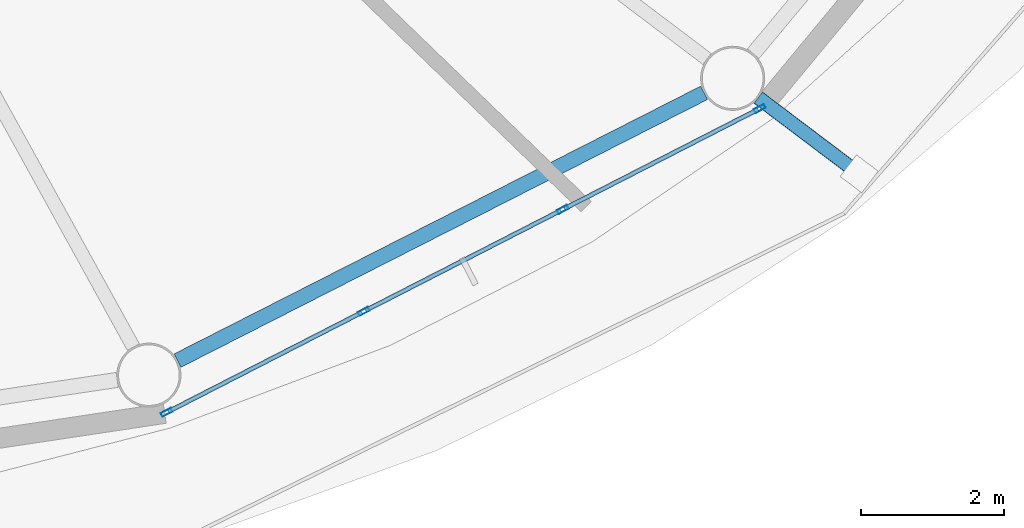
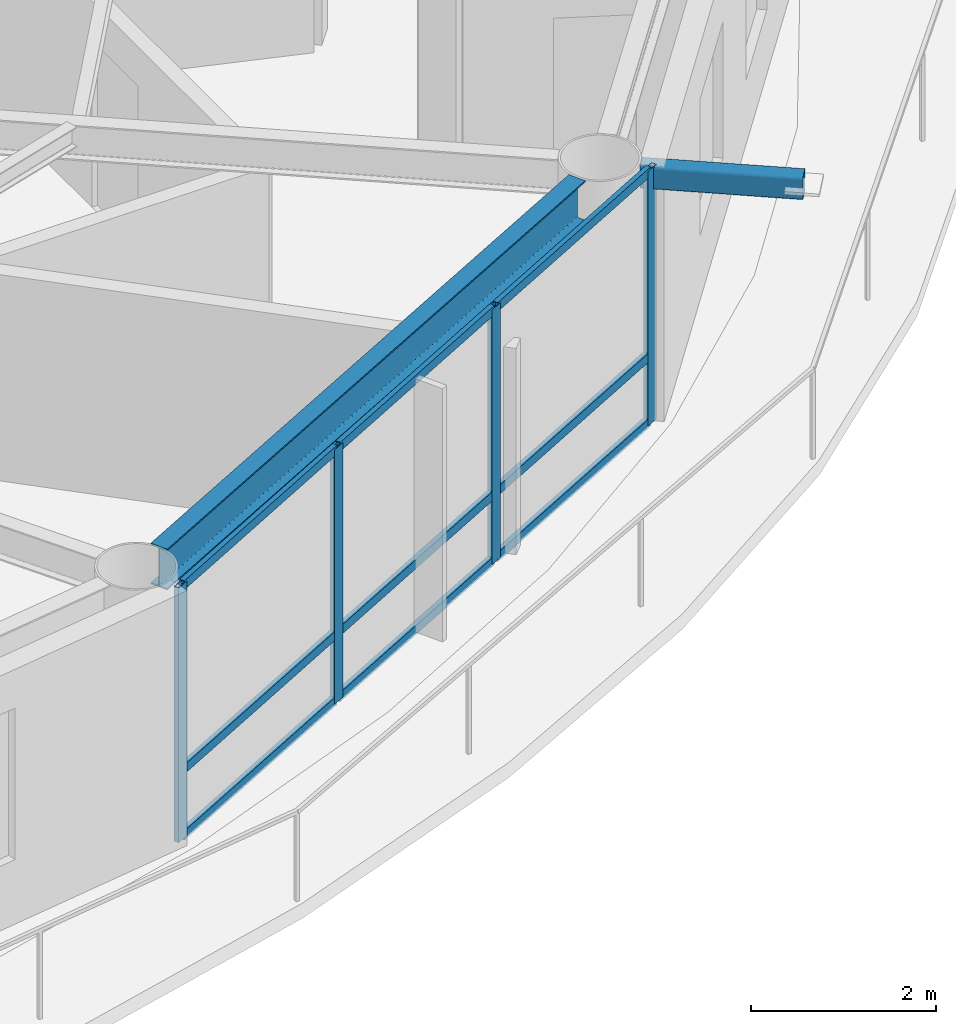
# One storey, part 5 of 22: 14 members, 1 beam, 1 element without a shape of its own.
"""IFC4 building model written with IfcOpenShell, lengths in metres."""

import ifcopenshell
import ifcopenshell.guid

model = None  # the IFC model being written
_history = None  # IfcOwnerHistory: only IFC2X3 demands one
_inside = {}  # id of a spatial element -> (the spatial element, [elements in it])
_under = {}  # id of a project, library or spatial element -> (it, [spatial elements below it])
_declared = {}  # id of a project -> (the project, [libraries it declares])
_typed = {}  # id of a type object -> (the type object, [elements of that type])
_made_of = {}  # id of a material, layer set ... -> (it, [elements and type objects made of it])


def new_model(schema):
    """Start an empty IFC model of exactly this schema.

    Asked for "IFC4X3", IfcOpenShell would pick the latest addendum, in which some entities
    have other attributes; the version numbers below select the first issue.
    IFC2X3 requires an IfcOwnerHistory on every rooted entity: one is made here for all.
    """
    global model, _history
    if schema == "IFC4X3":
        model = ifcopenshell.file(schema_version=(4, 3, 0, 0))
    else:
        model = ifcopenshell.file(schema=schema)
    _inside.clear()
    _under.clear()
    _declared.clear()
    _typed.clear()
    _made_of.clear()
    _history = None
    if model.schema == "IFC2X3":
        org = make("IfcOrganization", Name="unknown")
        user = make(
            "IfcPersonAndOrganization",
            ThePerson=make("IfcPerson", FamilyName="unknown"),
            TheOrganization=org,
        )
        app = make(
            "IfcApplication",
            ApplicationDeveloper=org,
            Version="unknown",
            ApplicationFullName="unknown",
            ApplicationIdentifier="unknown",
        )
        _history = make(
            "IfcOwnerHistory",
            OwningUser=user,
            OwningApplication=app,
            ChangeAction="ADDED",
            CreationDate=0,
        )
    return model


def make(cls, **values):
    """One entity of the class cls with the attributes given. An attribute that is None is left unset."""
    return model.create_entity(
        cls, **{name: value for name, value in values.items() if value is not None}
    )


def rooted(cls, **values):
    """An entity with a GlobalId (a new one), such as an element, a storey or a relation."""
    return make(cls, GlobalId=ifcopenshell.guid.new(), OwnerHistory=_history, **values)


def si_unit(unit_type, name, prefix=None):
    """IfcSIUnit, for example si_unit("LENGTHUNIT", "METRE", prefix="MILLI")."""
    return make("IfcSIUnit", UnitType=unit_type, Prefix=prefix, Name=name)


def assignment(units):
    """IfcUnitAssignment: the units of a project."""
    return None if units is None else make("IfcUnitAssignment", Units=units)


def point(xyz):
    """IfcCartesianPoint."""
    return None if xyz is None else make("IfcCartesianPoint", Coordinates=xyz)


def direction(xyz):
    """IfcDirection."""
    return None if xyz is None else make("IfcDirection", DirectionRatios=xyz)


def frame(location, z_axis=None, x_axis=None):
    """IfcAxis2Placement3D, a coordinate frame: its origin and axes. An axis left out is left unset."""
    return make(
        "IfcAxis2Placement3D",
        Location=point(location),
        Axis=direction(z_axis),
        RefDirection=direction(x_axis),
    )


def frame_2d(location, x_axis=None):
    """IfcAxis2Placement2D, a coordinate frame in the plane: its origin and x axis."""
    return make(
        "IfcAxis2Placement2D", Location=point(location), RefDirection=direction(x_axis)
    )


def origin():
    """The frame at (0, 0, 0) with its axes left unset."""
    return frame((0.0, 0.0, 0.0))


def origin_2d():
    """The frame at (0, 0) in the plane with its x axis left unset."""
    return frame_2d((0.0, 0.0))


def place(relative_to, where):
    """IfcLocalPlacement: puts the frame where relative to a parent placement (None: the world)."""
    return make(
        "IfcLocalPlacement", PlacementRelTo=relative_to, RelativePlacement=where
    )


def context(
    kind, dimensions, precision=None, world=None, true_north=None, identifier=None
):
    """IfcGeometricRepresentationContext, for example the 3D "Model" context."""
    return make(
        "IfcGeometricRepresentationContext",
        ContextIdentifier=identifier,
        ContextType=kind,
        CoordinateSpaceDimension=dimensions,
        Precision=precision,
        WorldCoordinateSystem=world,
        TrueNorth=true_north,
    )


def subcontext(parent, identifier, kind, view, scale=None):
    """IfcGeometricRepresentationSubContext, for example "Body" below "Model"."""
    return make(
        "IfcGeometricRepresentationSubContext",
        ContextIdentifier=identifier,
        ContextType=kind,
        ParentContext=parent,
        TargetScale=scale,
        TargetView=view,
    )


def project(units=None, contexts=None):
    """IfcProject with its units and contexts."""
    return rooted(
        "IfcProject",
        Name="project",
        RepresentationContexts=contexts,
        UnitsInContext=assignment(units),
    )


def spatial(cls, under=None, at=None, **own):
    """A site, building, storey or space (cls), placed at a placement, below another one or the project."""
    s = rooted(cls, ObjectPlacement=at, **own)
    if under is not None:
        _under.setdefault(under.id(), (under, []))[1].append(s)
    return s


def profile(cls, at=None, kind="AREA", **sizes):
    """A parametric profile (cls). Its sizes go by their IFC names, for example OverallWidth=200.0."""
    return make(cls, ProfileType=kind, Position=at, **sizes)


def hollow_rectangle(**sizes):
    """IfcRectangleHollowProfileDef."""
    return profile("IfcRectangleHollowProfileDef", **sizes)


def i_section(**sizes):
    """IfcIShapeProfileDef."""
    return profile("IfcIShapeProfileDef", **sizes)


def extrude(swept, where, along, depth):
    """IfcExtrudedAreaSolid: the profile swept, set in the frame where, extruded along a direction by depth."""
    return make(
        "IfcExtrudedAreaSolid",
        SweptArea=swept,
        Position=where,
        ExtrudedDirection=direction(along),
        Depth=depth,
    )


def shape(context_of_items, identifier, shape_type, items):
    """IfcShapeRepresentation: the items that make up one representation, for example the "Body"."""
    return make(
        "IfcShapeRepresentation",
        ContextOfItems=context_of_items,
        RepresentationIdentifier=identifier,
        RepresentationType=shape_type,
        Items=items,
    )


def material(Name=None, Category=None):
    """IfcMaterial."""
    return make("IfcMaterial", Name=Name, Category=Category)


def layer(
    of_material, thickness, ventilated=None, Name=None, Category=None, Priority=None
):
    """IfcMaterialLayer: one layer of a wall or slab, of a material (None: an air gap)."""
    return make(
        "IfcMaterialLayer",
        Material=of_material,
        LayerThickness=thickness,
        IsVentilated=ventilated,
        Name=Name,
        Category=Category,
        Priority=Priority,
    )


def layer_set(layers, Name=None):
    """IfcMaterialLayerSet."""
    return make("IfcMaterialLayerSet", MaterialLayers=layers, LayerSetName=Name)


def material_profile(
    of_material, cross_section, Name=None, Category=None, Priority=None
):
    """IfcMaterialProfile: a cross section and its material."""
    return make(
        "IfcMaterialProfile",
        Name=Name,
        Material=of_material,
        Profile=cross_section,
        Priority=Priority,
        Category=Category,
    )


def profile_set(profiles, Name=None, composite=None):
    """IfcMaterialProfileSet."""
    return make(
        "IfcMaterialProfileSet",
        Name=Name,
        MaterialProfiles=profiles,
        CompositeProfile=composite,
    )


def made_of(thing, what):
    """Note that an element or type object is made of a material, layer set ...; save() writes the relation."""
    if what is not None:
        _made_of.setdefault(what.id(), (what, []))[1].append(thing)
    return thing


def type_object(cls, material=None, **own):
    """A type object (cls), such as IfcWallType, which elements share."""
    return made_of(rooted(cls, **own), material)


def element(
    cls,
    number,
    at=None,
    inside=None,
    cuts=None,
    type_object=None,
    material=None,
    context=None,
    identifier="Body",
    shape_type=None,
    held_by="IfcProductDefinitionShape",
    body=None,
    shapes=None,
    **own,
):
    """One element of the class cls, such as IfcWall. Its Tag is "e" and its number.

    at: its placement. inside: the storey or other place that contains it. cuts: it is an
    opening in that element (IfcRelVoidsElement). A single representation is given by context,
    identifier, shape_type and body (its items); several are given by shapes. held_by: the class
    of the entity that holds the representations. save() writes the other relations.
    """
    e = rooted(cls, Tag="e%d" % number, ObjectPlacement=at, **own)
    if body is not None:
        shapes = [shape(context, identifier, shape_type, body)]
    if shapes is not None:
        e.Representation = make(held_by, Representations=shapes)
    if inside is not None:
        _inside.setdefault(inside.id(), (inside, []))[1].append(e)
    if cuts is not None:
        rooted(
            "IfcRelVoidsElement", RelatingBuildingElement=cuts, RelatedOpeningElement=e
        )
    if type_object is not None:
        _typed.setdefault(type_object.id(), (type_object, []))[1].append(e)
    return made_of(e, material)


def aggregate(whole, parts):
    """IfcRelAggregates: a whole, such as a stair, and the parts it consists of."""
    return rooted("IfcRelAggregates", RelatingObject=whole, RelatedObjects=parts)


def save(model, path):
    """Write the relations noted so far, then the file.

    IfcRelAggregates (storeys below a building ...), IfcRelContainedInSpatialStructure (elements
    in a storey), IfcRelDefinesByType, IfcRelAssociatesMaterial and IfcRelDeclares: one each for
    every whole, place, type object, material and project.
    """
    for whole, parts in _under.values():
        aggregate(whole, parts)
    for where, things in _inside.values():
        rooted(
            "IfcRelContainedInSpatialStructure",
            RelatedElements=things,
            RelatingStructure=where,
        )
    for kind, things in _typed.values():
        rooted("IfcRelDefinesByType", RelatedObjects=things, RelatingType=kind)
    for what, things in _made_of.values():
        rooted("IfcRelAssociatesMaterial", RelatedObjects=things, RelatingMaterial=what)
    for by, libraries in _declared.values():
        rooted("IfcRelDeclares", RelatingContext=by, RelatedDefinitions=libraries)
    model.write(path)


model = new_model("IFC4")

# Units and contexts
model_context = context("Model", 3, precision=1e-05, world=origin(), true_north=direction((0.0, 1.0)))
body_context = subcontext(model_context, "Body", "Model", "MODEL_VIEW")
ifc_project = project(units=[si_unit("LENGTHUNIT", "METRE"), si_unit("AREAUNIT", "SQUARE_METRE"), si_unit("VOLUMEUNIT", "CUBIC_METRE"), si_unit("PLANEANGLEUNIT", "RADIAN"), si_unit("MASSUNIT", "GRAM", prefix="KILO")], contexts=[model_context])

# Site, building, storey
site_placement = place(None, origin())
site = spatial("IfcSite", under=ifc_project, at=site_placement, CompositionType="ELEMENT")
building_placement = place(site_placement, origin())
building = spatial("IfcBuilding", under=site, at=building_placement, Name="Sarneth Arch Tower", CompositionType="ELEMENT")
storey_placement = place(building_placement, frame((0.0, 0.0, 210.0)))
storey = spatial("IfcBuildingStorey", under=building, at=storey_placement, Name="L53", CompositionType="ELEMENT", Elevation=210.0)

# Beam
ifc_material_1 = material(Name="Steel S355", Category="steel")
ifc_material_profile_1 = material_profile(ifc_material_1, i_section(OverallWidth=0.2109375, OverallDepth=0.5390625, WebThickness=0.01171875, FlangeThickness=0.018798828125, FilletRadius=0.01806640625, at=origin_2d()), Name="W530x109")
ifc_profile_set_1 = profile_set([ifc_material_profile_1], Name="Steel S355")
beam_type = type_object("IfcBeamType", Name="BM-RAD-530B", PredefinedType="BEAM", material=ifc_profile_set_1)
beam_placement = place(storey_placement, frame((58.19189453125, 24.465576171875, 3.090576171875), z_axis=(0.891376248079, 0.453264144138, 0.0), x_axis=(-0.453264144138, 0.891376248079, 0.0)))
element("IfcBeam", 1, at=beam_placement, inside=storey, type_object=beam_type, Name="L53 Perimeter spandrel beam 14", PredefinedType="BEAM", context=body_context, shape_type="SweptSolid", body=[
    extrude(i_section(OverallWidth=0.2109375, OverallDepth=0.5390625, WebThickness=0.01171875, FlangeThickness=0.018798828125, FilletRadius=0.01806640625, at=origin_2d()), origin(), (0.0, 0.0, 1.0), 8.281982421875),
])

# Curtain wall, members
ifc_material_2 = material(Name="Anodised aluminium Type AA25 and solar-control low-e laminated IGU", Category="aluminium")
ifc_layer = layer(ifc_material_2, 0.179931640625)
ifc_layer_set = layer_set([ifc_layer], Name="Anodised aluminium Type AA25 and solar-control low-e laminated IGU")
curtain_wall_type = type_object("IfcCurtainWallType", Name="CW-RES-HIGH", PredefinedType="NOTDEFINED", material=ifc_layer_set)
curtain_wall_placement = place(storey_placement, origin())
curtain_wall = element("IfcCurtainWall", 2, at=curtain_wall_placement, inside=storey, type_object=curtain_wall_type, Name="L53 Unitised curtain wall facet 14", PredefinedType="NOTDEFINED")
ifc_material_3 = material(Name="Anodised Aluminium 6063-T6", Category="aluminium")
ifc_material_profile_2 = material_profile(ifc_material_3, hollow_rectangle(XDim=0.06005859375, YDim=0.159912109375, WallThickness=0.00390625, at=origin_2d()), Name="AL-MULL-160x60x4")
ifc_profile_set_2 = profile_set([ifc_material_profile_2], Name="Anodised Aluminium 6063-T6")
member_type_1 = type_object("IfcMemberType", Name="CW-MULLION", PredefinedType="MULLION", material=ifc_profile_set_2)
member_1_placement = place(storey_placement, frame((58.039306640625, 23.7392578125, 0.0), z_axis=(0.0, 0.0, 1.0), x_axis=(-0.455941901753, 0.890009540525, 0.0)))
member_1 = element("IfcMember", 3, at=member_1_placement, type_object=member_type_1, Name="CW-SYS-6 mullion 1", PredefinedType="MULLION", context=body_context, shape_type="SweptSolid", body=[
    extrude(hollow_rectangle(XDim=0.06005859375, YDim=0.159912109375, WallThickness=0.00390625, at=origin_2d()), origin(), (0.0, 0.0, 1.0), 3.360107421875),
])
member_2_placement = place(storey_placement, frame((60.802490234375, 25.155029296875, 0.0), z_axis=(0.0, 0.0, 1.0), x_axis=(-0.455941901753, 0.890009540525, 0.0)))
member_2 = element("IfcMember", 4, at=member_2_placement, type_object=member_type_1, Name="CW-SYS-6 mullion 2", PredefinedType="MULLION", context=body_context, shape_type="SweptSolid", body=[
    extrude(hollow_rectangle(XDim=0.06005859375, YDim=0.159912109375, WallThickness=0.00390625, at=origin_2d()), origin(), (0.0, 0.0, 1.0), 3.360107421875),
])
member_3_placement = place(storey_placement, frame((63.592529296875, 26.584228515625, 0.0), z_axis=(0.0, 0.0, 1.0), x_axis=(-0.455941901753, 0.890009540525, 0.0)))
member_3 = element("IfcMember", 5, at=member_3_placement, type_object=member_type_1, Name="CW-SYS-6 mullion 3", PredefinedType="MULLION", context=body_context, shape_type="SweptSolid", body=[
    extrude(hollow_rectangle(XDim=0.06005859375, YDim=0.159912109375, WallThickness=0.00390625, at=origin_2d()), origin(), (0.0, 0.0, 1.0), 3.360107421875),
])
member_4_placement = place(storey_placement, frame((66.355712890625, 27.999755859375, 0.0), z_axis=(0.0, 0.0, 1.0), x_axis=(-0.455941901753, 0.890009540525, 0.0)))
member_4 = element("IfcMember", 6, at=member_4_placement, type_object=member_type_1, Name="CW-SYS-6 mullion 4", PredefinedType="MULLION", context=body_context, shape_type="SweptSolid", body=[
    extrude(hollow_rectangle(XDim=0.06005859375, YDim=0.159912109375, WallThickness=0.00390625, at=origin_2d()), origin(), (0.0, 0.0, 1.0), 3.360107421875),
])
ifc_material_4 = material(Name="Anodised Aluminium 6063-T6", Category="aluminium")
ifc_material_profile_3 = material_profile(ifc_material_4, hollow_rectangle(XDim=0.06005859375, YDim=0.1201171875, WallThickness=0.00390625, at=origin_2d()), Name="AL-TRAN-120x60x4")
ifc_profile_set_3 = profile_set([ifc_material_profile_3], Name="Anodised Aluminium 6063-T6")
member_type_2 = type_object("IfcMemberType", Name="CW-TRANSOM", PredefinedType="USERDEFINED", material=ifc_profile_set_3)
member_5_placement = place(storey_placement, frame((58.066162109375, 23.7529296875, 0.030029296875), z_axis=(0.889973523166, 0.456012201662, 0.0), x_axis=(-0.456012201662, 0.889973523166, 0.0)))
member_5 = element("IfcMember", 7, at=member_5_placement, type_object=member_type_2, Name="CW-SYS-6 transom 1.1", ObjectType="TRANSOM", PredefinedType="USERDEFINED", context=body_context, shape_type="SweptSolid", body=[
    extrude(hollow_rectangle(XDim=0.06005859375, YDim=0.1201171875, WallThickness=0.00390625, at=origin_2d()), origin(), (0.0, 0.0, 1.0), 3.044677734375),
])
member_6_placement = place(storey_placement, frame((58.066162109375, 23.7529296875, 0.89990234375), z_axis=(0.889973523166, 0.456012201662, 0.0), x_axis=(-0.456012201662, 0.889973523166, 0.0)))
member_6 = element("IfcMember", 8, at=member_6_placement, type_object=member_type_2, Name="CW-SYS-6 transom 1.2", ObjectType="TRANSOM", PredefinedType="USERDEFINED", context=body_context, shape_type="SweptSolid", body=[
    extrude(hollow_rectangle(XDim=0.06005859375, YDim=0.1201171875, WallThickness=0.00390625, at=origin_2d()), origin(), (0.0, 0.0, 1.0), 3.044677734375),
])
member_7_placement = place(storey_placement, frame((58.066162109375, 23.7529296875, 3.330078125), z_axis=(0.889973523166, 0.456012201662, 0.0), x_axis=(-0.456012201662, 0.889973523166, 0.0)))
member_7 = element("IfcMember", 9, at=member_7_placement, type_object=member_type_2, Name="CW-SYS-6 transom 1.3", ObjectType="TRANSOM", PredefinedType="USERDEFINED", context=body_context, shape_type="SweptSolid", body=[
    extrude(hollow_rectangle(XDim=0.06005859375, YDim=0.1201171875, WallThickness=0.00390625, at=origin_2d()), origin(), (0.0, 0.0, 1.0), 3.044677734375),
])
member_8_placement = place(storey_placement, frame((60.829345703125, 25.168701171875, 0.030029296875), z_axis=(0.890017432405, 0.455926496286, 0.0), x_axis=(-0.455926496286, 0.890017432405, 0.0)))
member_8 = element("IfcMember", 10, at=member_8_placement, type_object=member_type_2, Name="CW-SYS-6 transom 2.1", ObjectType="TRANSOM", PredefinedType="USERDEFINED", context=body_context, shape_type="SweptSolid", body=[
    extrude(hollow_rectangle(XDim=0.06005859375, YDim=0.1201171875, WallThickness=0.00390625, at=origin_2d()), origin(), (0.0, 0.0, 1.0), 3.07470703125),
])
member_9_placement = place(storey_placement, frame((60.829345703125, 25.168701171875, 0.89990234375), z_axis=(0.890017432405, 0.455926496286, 0.0), x_axis=(-0.455926496286, 0.890017432405, 0.0)))
member_9 = element("IfcMember", 11, at=member_9_placement, type_object=member_type_2, Name="CW-SYS-6 transom 2.2", ObjectType="TRANSOM", PredefinedType="USERDEFINED", context=body_context, shape_type="SweptSolid", body=[
    extrude(hollow_rectangle(XDim=0.06005859375, YDim=0.1201171875, WallThickness=0.00390625, at=origin_2d()), origin(), (0.0, 0.0, 1.0), 3.07470703125),
])
member_10_placement = place(storey_placement, frame((60.829345703125, 25.168701171875, 3.330078125), z_axis=(0.890017432405, 0.455926496286, 0.0), x_axis=(-0.455926496286, 0.890017432405, 0.0)))
member_10 = element("IfcMember", 12, at=member_10_placement, type_object=member_type_2, Name="CW-SYS-6 transom 2.3", ObjectType="TRANSOM", PredefinedType="USERDEFINED", context=body_context, shape_type="SweptSolid", body=[
    extrude(hollow_rectangle(XDim=0.06005859375, YDim=0.1201171875, WallThickness=0.00390625, at=origin_2d()), origin(), (0.0, 0.0, 1.0), 3.07470703125),
])
member_11_placement = place(storey_placement, frame((63.619140625, 26.597900390625, 0.030029296875), z_axis=(0.890022732705, 0.455916149384, 0.0), x_axis=(-0.455916149384, 0.890022732705, 0.0)))
member_11 = element("IfcMember", 13, at=member_11_placement, type_object=member_type_2, Name="CW-SYS-6 transom 3.1", ObjectType="TRANSOM", PredefinedType="USERDEFINED", context=body_context, shape_type="SweptSolid", body=[
    extrude(hollow_rectangle(XDim=0.06005859375, YDim=0.1201171875, WallThickness=0.00390625, at=origin_2d()), origin(), (0.0, 0.0, 1.0), 3.044921875),
])
member_12_placement = place(storey_placement, frame((63.619140625, 26.597900390625, 0.89990234375), z_axis=(0.890022732705, 0.455916149384, 0.0), x_axis=(-0.455916149384, 0.890022732705, 0.0)))
member_12 = element("IfcMember", 14, at=member_12_placement, type_object=member_type_2, Name="CW-SYS-6 transom 3.2", ObjectType="TRANSOM", PredefinedType="USERDEFINED", context=body_context, shape_type="SweptSolid", body=[
    extrude(hollow_rectangle(XDim=0.06005859375, YDim=0.1201171875, WallThickness=0.00390625, at=origin_2d()), origin(), (0.0, 0.0, 1.0), 3.044921875),
])
member_13_placement = place(storey_placement, frame((63.619140625, 26.597900390625, 3.330078125), z_axis=(0.890022732705, 0.455916149384, 0.0), x_axis=(-0.455916149384, 0.890022732705, 0.0)))
member_13 = element("IfcMember", 15, at=member_13_placement, type_object=member_type_2, Name="CW-SYS-6 transom 3.3", ObjectType="TRANSOM", PredefinedType="USERDEFINED", context=body_context, shape_type="SweptSolid", body=[
    extrude(hollow_rectangle(XDim=0.06005859375, YDim=0.1201171875, WallThickness=0.00390625, at=origin_2d()), origin(), (0.0, 0.0, 1.0), 3.044921875),
])
aggregate(curtain_wall, [member_1, member_2, member_3, member_4, member_5, member_6, member_7, member_8, member_9, member_10, member_11, member_12, member_13])

# Member
ifc_material_5 = material(Name="Steel S355", Category="steel")
ifc_material_profile_4 = material_profile(ifc_material_5, hollow_rectangle(XDim=0.199951171875, YDim=0.300048828125, WallThickness=0.012451171875, InnerFilletRadius=0.018798828125, OuterFilletRadius=0.03125, at=origin_2d()), Name="RHS300x200x12.5")
ifc_profile_set_4 = profile_set([ifc_material_profile_4], Name="Steel S355")
member_type_3 = type_object("IfcMemberType", Name="MEM-CANT-STRUT", PredefinedType="STRUT", material=ifc_profile_set_4)
member_14_placement = place(storey_placement, frame((66.334228515625, 28.15234375, 3.199951171875), z_axis=(0.798011619551, -0.602642062141, 0.0), x_axis=(0.602642062141, 0.798011619551, 0.0)))
element("IfcMember", 16, at=member_14_placement, inside=storey, type_object=member_type_3, Name="L53 Balcony cantilever bracket 15", PredefinedType="STRUT", context=body_context, shape_type="SweptSolid", body=[
    extrude(hollow_rectangle(XDim=0.199951171875, YDim=0.300048828125, WallThickness=0.012451171875, InnerFilletRadius=0.018798828125, OuterFilletRadius=0.03125, at=origin_2d()), origin(), (0.0, 0.0, 1.0), 1.77197265625),
])

save(model, "model.ifc")
